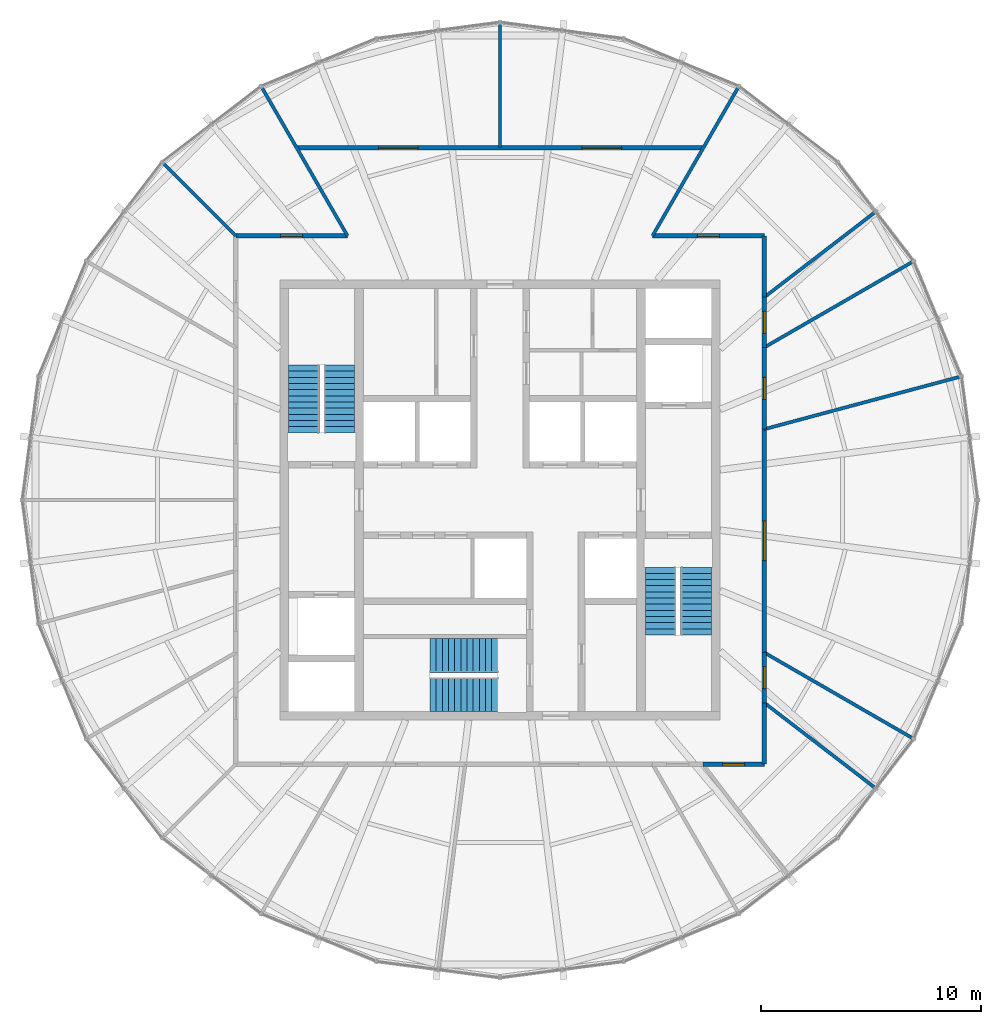
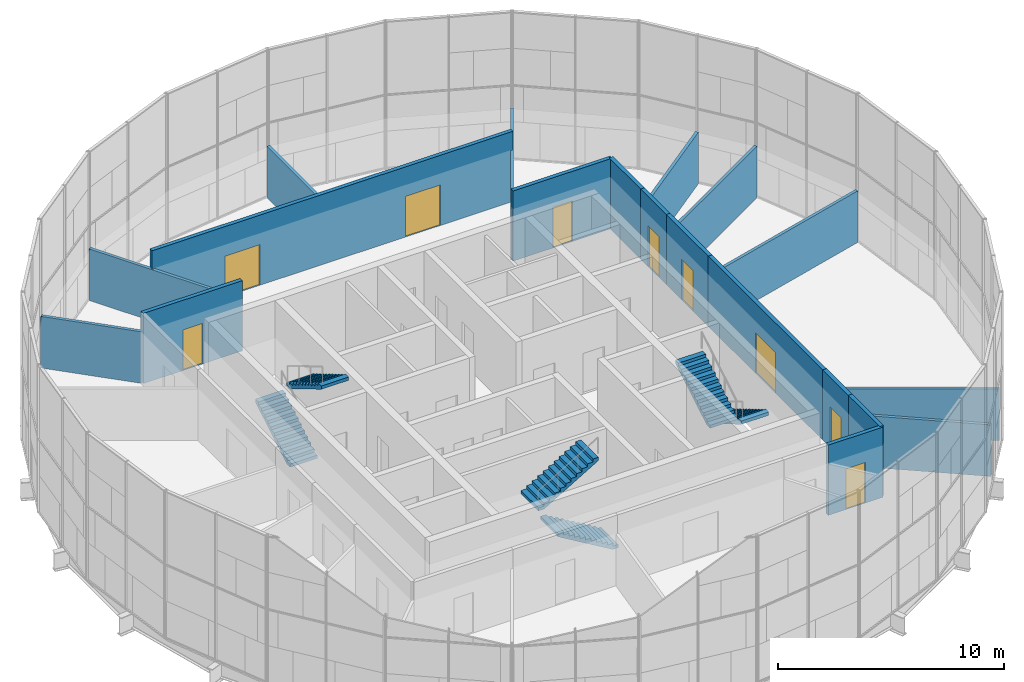
# One storey, part 17 of 18: 19 walls, 9 doors, 6 stair flights, 9 openings, 3 elements without a shape of their own.
"""IFC4 building model written with IfcOpenShell, lengths in metres."""

from ifc_helpers import new_model, si_unit, direction, frame, frame_2d, origin, place, context, subcontext, project, spatial, polyline, rectangle, outline, extrude, material, layer, layer_set, type_object, element, fill, aggregate, save


model = new_model("IFC4")

# Units and contexts
model_context = context("Model", 3, precision=1e-05, world=origin(), true_north=direction((0.0, 1.0)))
body_context = subcontext(model_context, "Body", "Model", "MODEL_VIEW")
ifc_project = project(units=[si_unit("LENGTHUNIT", "METRE"), si_unit("AREAUNIT", "SQUARE_METRE"), si_unit("VOLUMEUNIT", "CUBIC_METRE"), si_unit("PLANEANGLEUNIT", "RADIAN"), si_unit("MASSUNIT", "GRAM", prefix="KILO")], contexts=[model_context])

# Site, building, storey
site_placement = place(None, origin())
site = spatial("IfcSite", under=ifc_project, at=site_placement, CompositionType="ELEMENT")
building_placement = place(site_placement, origin())
building = spatial("IfcBuilding", under=site, at=building_placement, Name="Golbaran Civic Tower", CompositionType="ELEMENT")
storey_placement = place(building_placement, frame((0.0, 0.0, 272.0)))
storey = spatial("IfcBuildingStorey", under=building, at=storey_placement, Name="L66", CompositionType="ELEMENT", Elevation=272.0)

# Wall, opening, door
ifc_material_1 = material(Name="Gypsum board on steel studs, fire-rated", Category="steel")
ifc_layer_1 = layer(ifc_material_1, 0.199951171875, Name="Gypsum board on steel studs, fire-rated")
ifc_layer_set_1 = layer_set([ifc_layer_1], Name="Gypsum board on steel studs, fire-rated")
wall_type_1 = type_object("IfcWallType", Name="CORRIDOR WALL 200", PredefinedType="PARTITIONING", material=ifc_layer_set_1)
wall_1_placement = place(storey_placement, frame((12.0, -6.92822265625, 0.0), z_axis=(0.0, 0.0, 1.0), x_axis=(0.0, 1.0, 0.0)))
wall_1 = element("IfcWall", 1, at=wall_1_placement, inside=storey, type_object=wall_type_1, Name="Corridor wall L66", PredefinedType="PARTITIONING", context=body_context, shape_type="SweptSolid", body=[
    extrude(rectangle(XDim=10.1435546875, YDim=0.199951171875, at=frame_2d((5.07177734375, 0.0))), origin(), (0.0, 0.0, 1.0), 3.800048828125),
])
opening_1_placement = place(wall_1_placement, frame((4.171875, 0.0, 0.0)))
opening_1 = element("IfcOpeningElement", 2, at=opening_1_placement, cuts=wall_1, Name="Opening L66.04", PredefinedType="OPENING", context=body_context, shape_type="SweptSolid", body=[
    extrude(rectangle(XDim=1.800048828125, YDim=2.199951171875, at=frame_2d((0.89990234375, 1.10009765625))), frame((0.0, 0.10986328125, 0.0), z_axis=(0.0, -1.0, 0.0), x_axis=(1.0, 0.0, 0.0)), (0.0, 0.0, 1.0), 0.219970703125),
])
ifc_material_2 = material(Name="Timber door set in steel frame", Category="steel")
door_type_1 = type_object("IfcDoorType", Name="OFFICE DOUBLE DOOR 1800x2200", OperationType="DOUBLE_DOOR_SINGLE_SWING", PredefinedType="DOOR", material=ifc_material_2)
door_1_placement = place(opening_1_placement, origin())
door_1 = element("IfcDoor", 3, at=door_1_placement, inside=storey, type_object=door_type_1, Name="Cabinet Room door L66", OperationType="DOUBLE_DOOR_SINGLE_SWING", OverallHeight=2.199951171875, OverallWidth=1.800048828125, PredefinedType="DOOR", context=body_context, shape_type="SweptSolid", body=[
    extrude(rectangle(XDim=1.800048828125, YDim=2.199951171875, at=frame_2d((0.89990234375, 1.10009765625))), frame((0.0, 0.02490234375, 0.0), z_axis=(0.0, -1.0, 0.0), x_axis=(1.0, 0.0, 0.0)), (0.0, 0.0, 1.0), 0.050048828125),
])
fill(opening_1, door_1)

wall_2_placement = place(storey_placement, frame((12.0, 3.21533203125, 0.0), z_axis=(0.0, 0.0, 1.0), x_axis=(0.0, 1.0, 0.0)))
wall_2 = element("IfcWall", 4, at=wall_2_placement, inside=storey, type_object=wall_type_1, Name="Corridor wall L66", PredefinedType="PARTITIONING", context=body_context, shape_type="SweptSolid", body=[
    extrude(rectangle(XDim=3.712890625, YDim=0.199951171875, at=frame_2d((1.8564453125, 0.0))), origin(), (0.0, 0.0, 1.0), 3.800048828125),
])
opening_2_placement = place(wall_2_placement, frame((1.3564453125, 0.0, 0.0)))
opening_2 = element("IfcOpeningElement", 5, at=opening_2_placement, cuts=wall_2, Name="Opening L66.05", PredefinedType="OPENING", context=body_context, shape_type="SweptSolid", body=[
    extrude(rectangle(XDim=1.0, YDim=2.199951171875, at=frame_2d((0.5, 1.10009765625))), frame((0.0, 0.10986328125, 0.0), z_axis=(0.0, -1.0, 0.0), x_axis=(1.0, 0.0, 0.0)), (0.0, 0.0, 1.0), 0.219970703125),
])
door_type_2 = type_object("IfcDoorType", Name="OFFICE DOOR 1000x2200", OperationType="SINGLE_SWING_LEFT", PredefinedType="DOOR", material=ifc_material_2)
door_2_placement = place(opening_2_placement, origin())
door_2 = element("IfcDoor", 6, at=door_2_placement, inside=storey, type_object=door_type_2, Name="Assistants' Office door L66", OperationType="SINGLE_SWING_LEFT", OverallHeight=2.199951171875, OverallWidth=1.0, PredefinedType="DOOR", context=body_context, shape_type="SweptSolid", body=[
    extrude(rectangle(XDim=1.0, YDim=2.199951171875, at=frame_2d((0.5, 1.10009765625))), frame((0.0, 0.02490234375, 0.0), z_axis=(0.0, -1.0, 0.0), x_axis=(1.0, 0.0, 0.0)), (0.0, 0.0, 1.0), 0.050048828125),
])
fill(opening_2, door_2)

wall_3_placement = place(storey_placement, frame((12.0, 6.92822265625, 0.0), z_axis=(0.0, 0.0, 1.0), x_axis=(0.0, 1.0, 0.0)))
wall_3 = element("IfcWall", 7, at=wall_3_placement, inside=storey, type_object=wall_type_1, Name="Corridor wall L66", PredefinedType="PARTITIONING", context=body_context, shape_type="SweptSolid", body=[
    extrude(rectangle(XDim=2.27978515625, YDim=0.199951171875, at=frame_2d((1.139892578125, 0.0))), origin(), (0.0, 0.0, 1.0), 3.800048828125),
])
opening_3_placement = place(wall_3_placement, frame((0.639892578125, 0.0, 0.0)))
opening_3 = element("IfcOpeningElement", 8, at=opening_3_placement, cuts=wall_3, Name="Opening L66.06", PredefinedType="OPENING", context=body_context, shape_type="SweptSolid", body=[
    extrude(rectangle(XDim=1.0, YDim=2.199951171875, at=frame_2d((0.5, 1.10009765625))), frame((0.0, 0.10986328125, 0.0), z_axis=(0.0, -1.0, 0.0), x_axis=(1.0, 0.0, 0.0)), (0.0, 0.0, 1.0), 0.219970703125),
])
door_3_placement = place(opening_3_placement, origin())
door_3 = element("IfcDoor", 9, at=door_3_placement, inside=storey, type_object=door_type_2, Name="Prayer Room door L66", OperationType="SINGLE_SWING_LEFT", OverallHeight=2.199951171875, OverallWidth=1.0, PredefinedType="DOOR", context=body_context, shape_type="SweptSolid", body=[
    extrude(rectangle(XDim=1.0, YDim=2.199951171875, at=frame_2d((0.5, 1.10009765625))), frame((0.0, 0.02490234375, 0.0), z_axis=(0.0, -1.0, 0.0), x_axis=(1.0, 0.0, 0.0)), (0.0, 0.0, 1.0), 0.050048828125),
])
fill(opening_3, door_3)

# Wall
wall_4_placement = place(storey_placement, frame((12.0, 9.2080078125, 0.0), z_axis=(0.0, 0.0, 1.0), x_axis=(0.0, 1.0, 0.0)))
element("IfcWall", 10, at=wall_4_placement, inside=storey, type_object=wall_type_1, Name="Corridor wall L66", PredefinedType="PARTITIONING", context=body_context, shape_type="SweptSolid", body=[
    extrude(rectangle(XDim=2.7919921875, YDim=0.199951171875, at=frame_2d((1.39599609375, 0.0))), origin(), (0.0, 0.0, 1.0), 3.800048828125),
])

# Wall, opening, door
wall_5_placement = place(storey_placement, frame((12.0, 12.0, 0.0), z_axis=(0.0, 0.0, 1.0), x_axis=(-1.0, 0.0, 0.0)))
wall_5 = element("IfcWall", 11, at=wall_5_placement, inside=storey, type_object=wall_type_1, Name="Corridor wall L66", PredefinedType="PARTITIONING", context=body_context, shape_type="SweptSolid", body=[
    extrude(rectangle(XDim=5.07177734375, YDim=0.199951171875, at=frame_2d((2.535888671875, 0.0))), origin(), (0.0, 0.0, 1.0), 3.800048828125),
])
opening_4_placement = place(wall_5_placement, frame((2.035888671875, 0.0, 0.0)))
opening_4 = element("IfcOpeningElement", 12, at=opening_4_placement, cuts=wall_5, Name="Opening L66.07", PredefinedType="OPENING", context=body_context, shape_type="SweptSolid", body=[
    extrude(rectangle(XDim=1.0, YDim=2.199951171875, at=frame_2d((0.5, 1.10009765625))), frame((0.0, 0.10986328125, 0.0), z_axis=(0.0, -1.0, 0.0), x_axis=(1.0, 0.0, 0.0)), (0.0, 0.0, 1.0), 0.219970703125),
])
door_4_placement = place(opening_4_placement, origin())
door_4 = element("IfcDoor", 13, at=door_4_placement, inside=storey, type_object=door_type_2, Name="Pantry door L66", OperationType="SINGLE_SWING_RIGHT", OverallHeight=2.199951171875, OverallWidth=1.0, PredefinedType="DOOR", context=body_context, shape_type="SweptSolid", body=[
    extrude(rectangle(XDim=1.0, YDim=2.199951171875, at=frame_2d((0.5, 1.10009765625))), frame((0.0, 0.02490234375, 0.0), z_axis=(0.0, -1.0, 0.0), x_axis=(1.0, 0.0, 0.0)), (0.0, 0.0, 1.0), 0.050048828125),
])
fill(opening_4, door_4)

wall_6_placement = place(storey_placement, frame((-6.92822265625, 12.0, 0.0), z_axis=(0.0, 0.0, 1.0), x_axis=(-1.0, 0.0, 0.0)))
wall_6 = element("IfcWall", 14, at=wall_6_placement, inside=storey, type_object=wall_type_1, Name="Corridor wall L66", PredefinedType="PARTITIONING", context=body_context, shape_type="SweptSolid", body=[
    extrude(rectangle(XDim=5.07177734375, YDim=0.199951171875, at=frame_2d((2.535888671875, 0.0))), origin(), (0.0, 0.0, 1.0), 3.800048828125),
])
opening_5_placement = place(wall_6_placement, frame((2.035888671875, 0.0, 0.0)))
opening_5 = element("IfcOpeningElement", 15, at=opening_5_placement, cuts=wall_6, Name="Opening L66.08", PredefinedType="OPENING", context=body_context, shape_type="SweptSolid", body=[
    extrude(rectangle(XDim=1.0, YDim=2.199951171875, at=frame_2d((0.5, 1.10009765625))), frame((0.0, 0.10986328125, 0.0), z_axis=(0.0, -1.0, 0.0), x_axis=(1.0, 0.0, 0.0)), (0.0, 0.0, 1.0), 0.219970703125),
])
door_5_placement = place(opening_5_placement, origin())
door_5 = element("IfcDoor", 16, at=door_5_placement, inside=storey, type_object=door_type_2, Name="Quiet Room door L66", OperationType="SINGLE_SWING_RIGHT", OverallHeight=2.199951171875, OverallWidth=1.0, PredefinedType="DOOR", context=body_context, shape_type="SweptSolid", body=[
    extrude(rectangle(XDim=1.0, YDim=2.199951171875, at=frame_2d((0.5, 1.10009765625))), frame((0.0, 0.02490234375, 0.0), z_axis=(0.0, -1.0, 0.0), x_axis=(1.0, 0.0, 0.0)), (0.0, 0.0, 1.0), 0.050048828125),
])
fill(opening_5, door_5)

wall_7_placement = place(storey_placement, frame((9.2080078125, -12.0, 0.0), z_axis=(0.0, 0.0, 1.0), x_axis=(1.0, 0.0, 0.0)))
wall_7 = element("IfcWall", 17, at=wall_7_placement, inside=storey, type_object=wall_type_1, Name="Corridor wall L66", PredefinedType="PARTITIONING", context=body_context, shape_type="SweptSolid", body=[
    extrude(rectangle(XDim=2.7919921875, YDim=0.199951171875, at=frame_2d((1.39599609375, 0.0))), origin(), (0.0, 0.0, 1.0), 3.800048828125),
])
opening_6_placement = place(wall_7_placement, frame((0.89599609375, 0.0, 0.0)))
opening_6 = element("IfcOpeningElement", 18, at=opening_6_placement, cuts=wall_7, Name="Opening L66.18", PredefinedType="OPENING", context=body_context, shape_type="SweptSolid", body=[
    extrude(rectangle(XDim=1.0, YDim=2.199951171875, at=frame_2d((0.5, 1.10009765625))), frame((0.0, 0.10986328125, 0.0), z_axis=(0.0, -1.0, 0.0), x_axis=(1.0, 0.0, 0.0)), (0.0, 0.0, 1.0), 0.219970703125),
])
door_6_placement = place(opening_6_placement, origin())
door_6 = element("IfcDoor", 19, at=door_6_placement, inside=storey, type_object=door_type_2, Name="Quiet Room door L66", OperationType="SINGLE_SWING_LEFT", OverallHeight=2.199951171875, OverallWidth=1.0, PredefinedType="DOOR", context=body_context, shape_type="SweptSolid", body=[
    extrude(rectangle(XDim=1.0, YDim=2.199951171875, at=frame_2d((0.5, 1.10009765625))), frame((0.0, 0.02490234375, 0.0), z_axis=(0.0, -1.0, 0.0), x_axis=(1.0, 0.0, 0.0)), (0.0, 0.0, 1.0), 0.050048828125),
])
fill(opening_6, door_6)

# Wall
wall_8_placement = place(storey_placement, frame((12.0, -12.0, 0.0), z_axis=(0.0, 0.0, 1.0), x_axis=(0.0, 1.0, 0.0)))
element("IfcWall", 20, at=wall_8_placement, inside=storey, type_object=wall_type_1, Name="Corridor wall L66", PredefinedType="PARTITIONING", context=body_context, shape_type="SweptSolid", body=[
    extrude(rectangle(XDim=2.7919921875, YDim=0.199951171875, at=frame_2d((1.39599609375, 0.0))), origin(), (0.0, 0.0, 1.0), 3.800048828125),
])

# Wall, opening, door
wall_9_placement = place(storey_placement, frame((12.0, -9.2080078125, 0.0), z_axis=(0.0, 0.0, 1.0), x_axis=(0.0, 1.0, 0.0)))
wall_9 = element("IfcWall", 21, at=wall_9_placement, inside=storey, type_object=wall_type_1, Name="Corridor wall L66", PredefinedType="PARTITIONING", context=body_context, shape_type="SweptSolid", body=[
    extrude(rectangle(XDim=2.27978515625, YDim=0.199951171875, at=frame_2d((1.139892578125, 0.0))), origin(), (0.0, 0.0, 1.0), 3.800048828125),
])
opening_7_placement = place(wall_9_placement, frame((0.639892578125, 0.0, 0.0)))
opening_7 = element("IfcOpeningElement", 22, at=opening_7_placement, cuts=wall_9, Name="Opening L66.19", PredefinedType="OPENING", context=body_context, shape_type="SweptSolid", body=[
    extrude(rectangle(XDim=1.0, YDim=2.199951171875, at=frame_2d((0.5, 1.10009765625))), frame((0.0, 0.10986328125, 0.0), z_axis=(0.0, -1.0, 0.0), x_axis=(1.0, 0.0, 0.0)), (0.0, 0.0, 1.0), 0.219970703125),
])
door_7_placement = place(opening_7_placement, origin())
door_7 = element("IfcDoor", 23, at=door_7_placement, inside=storey, type_object=door_type_2, Name="Store door L66", OperationType="SINGLE_SWING_LEFT", OverallHeight=2.199951171875, OverallWidth=1.0, PredefinedType="DOOR", context=body_context, shape_type="SweptSolid", body=[
    extrude(rectangle(XDim=1.0, YDim=2.199951171875, at=frame_2d((0.5, 1.10009765625))), frame((0.0, 0.02490234375, 0.0), z_axis=(0.0, -1.0, 0.0), x_axis=(1.0, 0.0, 0.0)), (0.0, 0.0, 1.0), 0.050048828125),
])
fill(opening_7, door_7)

# Wall, openings, doors
ifc_material_3 = material(Name="Gypsum board on steel studs, fire-rated, glazed panels", Category="steel")
ifc_layer_2 = layer(ifc_material_3, 0.199951171875, Name="Gypsum board on steel studs, fire-rated, glazed panels")
ifc_layer_set_2 = layer_set([ifc_layer_2], Name="Gypsum board on steel studs, fire-rated, glazed panels")
wall_type_2 = type_object("IfcWallType", Name="GALLERY WALL 200", PredefinedType="PARTITIONING", material=ifc_layer_set_2)
wall_10_placement = place(storey_placement, frame((9.237548828125, 16.0, 0.0), z_axis=(0.0, 0.0, 1.0), x_axis=(-1.0, 0.0, 0.0)))
wall_10 = element("IfcWall", 24, at=wall_10_placement, inside=storey, type_object=wall_type_2, Name="Gallery wall L66", PredefinedType="PARTITIONING", context=body_context, shape_type="SweptSolid", body=[
    extrude(rectangle(XDim=18.47509765625, YDim=0.199951171875, at=frame_2d((9.237548828125, 0.0))), origin(), (0.0, 0.0, 1.0), 3.800048828125),
])
opening_8_placement = place(wall_10_placement, frame((3.71875, 0.0, 0.0)))
opening_8 = element("IfcOpeningElement", 25, at=opening_8_placement, cuts=wall_10, Name="Opening L66.01", PredefinedType="OPENING", context=body_context, shape_type="SweptSolid", body=[
    extrude(rectangle(XDim=1.800048828125, YDim=2.199951171875, at=frame_2d((0.89990234375, 1.10009765625))), frame((0.0, 0.10986328125, 0.0), z_axis=(0.0, -1.0, 0.0), x_axis=(1.0, 0.0, 0.0)), (0.0, 0.0, 1.0), 0.219970703125),
])
opening_9_placement = place(wall_10_placement, frame((12.956298828125, 0.0, 0.0)))
opening_9 = element("IfcOpeningElement", 26, at=opening_9_placement, cuts=wall_10, Name="Opening L66.02", PredefinedType="OPENING", context=body_context, shape_type="SweptSolid", body=[
    extrude(rectangle(XDim=1.800048828125, YDim=2.199951171875, at=frame_2d((0.89990234375, 1.10009765625))), frame((0.0, 0.10986328125, 0.0), z_axis=(0.0, -1.0, 0.0), x_axis=(1.0, 0.0, 0.0)), (0.0, 0.0, 1.0), 0.219970703125),
])
door_8_placement = place(opening_8_placement, origin())
door_8 = element("IfcDoor", 27, at=door_8_placement, inside=storey, type_object=door_type_1, Name="Minister's Office door L66", OperationType="DOUBLE_DOOR_SINGLE_SWING", OverallHeight=2.199951171875, OverallWidth=1.800048828125, PredefinedType="DOOR", context=body_context, shape_type="SweptSolid", body=[
    extrude(rectangle(XDim=1.800048828125, YDim=2.199951171875, at=frame_2d((0.89990234375, 1.10009765625))), frame((0.0, 0.02490234375, 0.0), z_axis=(0.0, -1.0, 0.0), x_axis=(1.0, 0.0, 0.0)), (0.0, 0.0, 1.0), 0.050048828125),
])
fill(opening_8, door_8)
door_9_placement = place(opening_9_placement, origin())
door_9 = element("IfcDoor", 28, at=door_9_placement, inside=storey, type_object=door_type_1, Name="Assistants' Office door L66", OperationType="DOUBLE_DOOR_SINGLE_SWING", OverallHeight=2.199951171875, OverallWidth=1.800048828125, PredefinedType="DOOR", context=body_context, shape_type="SweptSolid", body=[
    extrude(rectangle(XDim=1.800048828125, YDim=2.199951171875, at=frame_2d((0.89990234375, 1.10009765625))), frame((0.0, 0.02490234375, 0.0), z_axis=(0.0, -1.0, 0.0), x_axis=(1.0, 0.0, 0.0)), (0.0, 0.0, 1.0), 0.050048828125),
])
fill(opening_9, door_9)

# Walls
ifc_material_4 = material(Name="Gypsum board on steel studs", Category="steel")
ifc_layer_3 = layer(ifc_material_4, 0.14990234375, Name="Gypsum board on steel studs")
ifc_layer_set_3 = layer_set([ifc_layer_3], Name="Gypsum board on steel studs")
wall_type_3 = type_object("IfcWallType", Name="OFFICE PARTITION 150", PredefinedType="PARTITIONING", material=ifc_layer_set_3)
wall_11_placement = place(storey_placement, frame((12.0, -6.92822265625, 0.0), z_axis=(0.0, 0.0, 1.0), x_axis=(0.866025099701, -0.500000526688, 0.0)))
element("IfcWall", 29, at=wall_11_placement, inside=storey, type_object=wall_type_3, Name="Partition 330 L66", PredefinedType="PARTITIONING", context=body_context, shape_type="SweptSolid", body=[
    extrude(rectangle(XDim=7.751953125, YDim=0.14990234375, at=frame_2d((3.8759765625, 0.0))), origin(), (0.0, 0.0, 1.0), 2.7900390625),
])
wall_12_placement = place(storey_placement, frame((12.0, 3.21533203125, 0.0), z_axis=(0.0, 0.0, 1.0), x_axis=(0.965925864192, 0.258818903647, 0.0)))
element("IfcWall", 30, at=wall_12_placement, inside=storey, type_object=wall_type_3, Name="Partition 15 L66", PredefinedType="PARTITIONING", context=body_context, shape_type="SweptSolid", body=[
    extrude(rectangle(XDim=9.184814453125, YDim=0.14990234375, at=frame_2d((4.59228515625, 0.0))), origin(), (0.0, 0.0, 1.0), 2.7900390625),
])
wall_13_placement = place(storey_placement, frame((12.0, 6.92822265625, 0.0), z_axis=(0.0, 0.0, 1.0), x_axis=(0.866025099701, 0.500000526688, 0.0)))
element("IfcWall", 31, at=wall_13_placement, inside=storey, type_object=wall_type_3, Name="Partition 30 L66", PredefinedType="PARTITIONING", context=body_context, shape_type="SweptSolid", body=[
    extrude(rectangle(XDim=7.751953125, YDim=0.14990234375, at=frame_2d((3.8759765625, 0.0))), origin(), (0.0, 0.0, 1.0), 2.7900390625),
])
wall_14_placement = place(storey_placement, frame((12.0, 9.2080078125, 0.0), z_axis=(0.0, 0.0, 1.0), x_axis=(0.793359833503, 0.608752966797, 0.0)))
element("IfcWall", 32, at=wall_14_placement, inside=storey, type_object=wall_type_3, Name="Partition 37.5 L66", PredefinedType="PARTITIONING", context=body_context, shape_type="SweptSolid", body=[
    extrude(rectangle(XDim=6.297607421875, YDim=0.14990234375, at=frame_2d((3.14892578125, 0.0))), origin(), (0.0, 0.0, 1.0), 2.7900390625),
])
for number, where, z_axis, x_axis, name in (
    (33, (6.92822265625, 12.0, 0.0), (0.0, 0.0, 1.0), (0.500000526688, 0.866025099701, 0.0), "Partition 60 L66"),
    (34, (-6.92822265625, 12.0, 0.0), (0.0, 0.0, 1.0), (-0.500000526688, 0.866025099701, 0.0), "Partition 120 L66"),
):
    element("IfcWall", number, at=place(storey_placement, frame(where, z_axis=z_axis, x_axis=x_axis)), inside=storey, type_object=wall_type_3, Name=name, PredefinedType="PARTITIONING", context=body_context, shape_type="SweptSolid", body=[
        extrude(rectangle(XDim=7.751953125, YDim=0.14990234375, at=frame_2d((3.8759765625, 0.0))), origin(), (0.0, 0.0, 1.0), 2.7900390625),
    ])
wall_15_placement = place(storey_placement, frame((-12.0, 12.0, 0.0), z_axis=(0.0, 0.0, 1.0), x_axis=(-0.707106781187, 0.707106781187, 0.0)))
element("IfcWall", 35, at=wall_15_placement, inside=storey, type_object=wall_type_3, Name="Partition 135 L66", PredefinedType="PARTITIONING", context=body_context, shape_type="SweptSolid", body=[
    extrude(rectangle(XDim=4.6376953125, YDim=0.14990234375, at=frame_2d((2.31884765625, 0.0))), origin(), (0.0, 0.0, 1.0), 2.7900390625),
])
wall_16_placement = place(storey_placement, frame((12.0, -9.2080078125, 0.0), z_axis=(0.0, 0.0, 1.0), x_axis=(0.793359833503, -0.608752966797, 0.0)))
element("IfcWall", 36, at=wall_16_placement, inside=storey, type_object=wall_type_3, Name="Partition 322.5 L66", PredefinedType="PARTITIONING", context=body_context, shape_type="SweptSolid", body=[
    extrude(rectangle(XDim=6.297607421875, YDim=0.14990234375, at=frame_2d((3.14892578125, 0.0))), origin(), (0.0, 0.0, 1.0), 2.7900390625),
])
wall_17_placement = place(storey_placement, frame((0.0, 16.0, 0.0), z_axis=(0.0, 0.0, 1.0), x_axis=(0.0, 1.0, 0.0)))
element("IfcWall", 37, at=wall_17_placement, inside=storey, type_object=wall_type_3, Name="Partition 90 L66", PredefinedType="PARTITIONING", context=body_context, shape_type="SweptSolid", body=[
    extrude(rectangle(XDim=5.608154296875, YDim=0.14990234375, at=frame_2d((2.80419921875, 0.0))), origin(), (0.0, 0.0, 1.0), 2.7900390625),
])

# Stair, stair flights
ifc_material_5 = material(Name="Concrete C35/45", Category="concrete")
stair_type_1 = type_object("IfcStairType", Name="EXIT STAIR 3000 x 7850, 4000 RISE", PredefinedType="HALF_TURN_STAIR", material=ifc_material_5)
stair_1_placement = place(storey_placement, origin())
stair_1 = element("IfcStair", 38, at=stair_1_placement, inside=storey, type_object=stair_type_1, Name="Stair S1 L66", PredefinedType="HALF_TURN_STAIR")
stair_flight_type_1 = type_object("IfcStairFlightType", Name="STAIR FLIGHT 1400 WIDE", PredefinedType="STRAIGHT", material=ifc_material_5)
stair_flight_1_placement = place(storey_placement, frame((-8.89990234375, 3.050048828125, 0.0), z_axis=(0.0, 0.0, 1.0), x_axis=(0.0, 1.0, 0.0)))
stair_flight_1 = element("IfcStairFlight", 39, at=stair_flight_1_placement, type_object=stair_flight_type_1, Name="ST30078-40 flight 1", NumberOfRisers=12, NumberOfTreads=11, PredefinedType="STRAIGHT", RiserHeight=0.166666667, TreadLength=0.28, context=body_context, shape_type="SweptSolid", body=[
    extrude(outline(polyline([(0.0, 0.0), (0.0, 0.166748046875), (0.280029296875, 0.166748046875), (0.280029296875, 0.333251953125), (0.56005859375, 0.333251953125), (0.56005859375, 0.5), (0.840087890625, 0.5), (0.840087890625, 0.666748046875), (1.1201171875, 0.666748046875), (1.1201171875, 0.833251953125), (1.39990234375, 0.833251953125), (1.39990234375, 1.0), (1.679931640625, 1.0), (1.679931640625, 1.166748046875), (1.9599609375, 1.166748046875), (1.9599609375, 1.333251953125), (2.239990234375, 1.333251953125), (2.239990234375, 1.5), (2.52001953125, 1.5), (2.52001953125, 1.666748046875), (2.800048828125, 1.666748046875), (2.800048828125, 1.833251953125), (3.080078125, 1.833251953125), (3.080078125, 2.0), (3.080078125, 1.658935546875), (0.29296875, 0.0), (0.0, 0.0)])), frame((0.0, 0.699951171875, 0.0), z_axis=(0.0, -1.0, 0.0), x_axis=(1.0, 0.0, 0.0)), (0.0, 0.0, 1.0), 1.39990234375),
])
stair_flight_2_placement = place(storey_placement, frame((-7.300048828125, 6.1298828125, 2.0), z_axis=(0.0, 0.0, 1.0), x_axis=(0.0, -1.0, 0.0)))
stair_flight_2 = element("IfcStairFlight", 40, at=stair_flight_2_placement, type_object=stair_flight_type_1, Name="ST30078-40 flight 2", NumberOfRisers=12, NumberOfTreads=11, PredefinedType="STRAIGHT", RiserHeight=0.166666667, TreadLength=0.28, context=body_context, shape_type="SweptSolid", body=[
    extrude(outline(polyline([(0.0, 0.0), (0.0, 0.166748046875), (0.280029296875, 0.166748046875), (0.280029296875, 0.333251953125), (0.56005859375, 0.333251953125), (0.56005859375, 0.5), (0.840087890625, 0.5), (0.840087890625, 0.666748046875), (1.1201171875, 0.666748046875), (1.1201171875, 0.833251953125), (1.39990234375, 0.833251953125), (1.39990234375, 1.0), (1.679931640625, 1.0), (1.679931640625, 1.166748046875), (1.9599609375, 1.166748046875), (1.9599609375, 1.333251953125), (2.239990234375, 1.333251953125), (2.239990234375, 1.5), (2.52001953125, 1.5), (2.52001953125, 1.666748046875), (2.800048828125, 1.666748046875), (2.800048828125, 1.833251953125), (3.080078125, 1.833251953125), (3.080078125, 2.0), (3.080078125, 1.658935546875), (0.29296875, 0.0), (0.0, 0.0)])), frame((0.0, 0.699951171875, 0.0), z_axis=(0.0, -1.0, 0.0), x_axis=(1.0, 0.0, 0.0)), (0.0, 0.0, 1.0), 1.39990234375),
])
aggregate(stair_1, [stair_flight_1, stair_flight_2])

stair_2_placement = place(storey_placement, origin())
stair_2 = element("IfcStair", 41, at=stair_2_placement, inside=storey, type_object=stair_type_1, Name="Stair S2 L66", PredefinedType="HALF_TURN_STAIR")
stair_flight_3_placement = place(storey_placement, frame((8.89990234375, -3.050048828125, 0.0), z_axis=(0.0, 0.0, 1.0), x_axis=(0.0, -1.0, 0.0)))
stair_flight_3 = element("IfcStairFlight", 42, at=stair_flight_3_placement, type_object=stair_flight_type_1, Name="ST30078-40 flight 1", NumberOfRisers=12, NumberOfTreads=11, PredefinedType="STRAIGHT", RiserHeight=0.166666667, TreadLength=0.28, context=body_context, shape_type="SweptSolid", body=[
    extrude(outline(polyline([(0.0, 0.0), (0.0, 0.166748046875), (0.280029296875, 0.166748046875), (0.280029296875, 0.333251953125), (0.56005859375, 0.333251953125), (0.56005859375, 0.5), (0.840087890625, 0.5), (0.840087890625, 0.666748046875), (1.1201171875, 0.666748046875), (1.1201171875, 0.833251953125), (1.39990234375, 0.833251953125), (1.39990234375, 1.0), (1.679931640625, 1.0), (1.679931640625, 1.166748046875), (1.9599609375, 1.166748046875), (1.9599609375, 1.333251953125), (2.239990234375, 1.333251953125), (2.239990234375, 1.5), (2.52001953125, 1.5), (2.52001953125, 1.666748046875), (2.800048828125, 1.666748046875), (2.800048828125, 1.833251953125), (3.080078125, 1.833251953125), (3.080078125, 2.0), (3.080078125, 1.658935546875), (0.29296875, 0.0), (0.0, 0.0)])), frame((0.0, 0.699951171875, 0.0), z_axis=(0.0, -1.0, 0.0), x_axis=(1.0, 0.0, 0.0)), (0.0, 0.0, 1.0), 1.39990234375),
])
stair_flight_4_placement = place(storey_placement, frame((7.300048828125, -6.1298828125, 2.0), z_axis=(0.0, 0.0, 1.0), x_axis=(0.0, 1.0, 0.0)))
stair_flight_4 = element("IfcStairFlight", 43, at=stair_flight_4_placement, type_object=stair_flight_type_1, Name="ST30078-40 flight 2", NumberOfRisers=12, NumberOfTreads=11, PredefinedType="STRAIGHT", RiserHeight=0.166666667, TreadLength=0.28, context=body_context, shape_type="SweptSolid", body=[
    extrude(outline(polyline([(0.0, 0.0), (0.0, 0.166748046875), (0.280029296875, 0.166748046875), (0.280029296875, 0.333251953125), (0.56005859375, 0.333251953125), (0.56005859375, 0.5), (0.840087890625, 0.5), (0.840087890625, 0.666748046875), (1.1201171875, 0.666748046875), (1.1201171875, 0.833251953125), (1.39990234375, 0.833251953125), (1.39990234375, 1.0), (1.679931640625, 1.0), (1.679931640625, 1.166748046875), (1.9599609375, 1.166748046875), (1.9599609375, 1.333251953125), (2.239990234375, 1.333251953125), (2.239990234375, 1.5), (2.52001953125, 1.5), (2.52001953125, 1.666748046875), (2.800048828125, 1.666748046875), (2.800048828125, 1.833251953125), (3.080078125, 1.833251953125), (3.080078125, 2.0), (3.080078125, 1.658935546875), (0.29296875, 0.0), (0.0, 0.0)])), frame((0.0, 0.699951171875, 0.0), z_axis=(0.0, -1.0, 0.0), x_axis=(1.0, 0.0, 0.0)), (0.0, 0.0, 1.0), 1.39990234375),
])
aggregate(stair_2, [stair_flight_3, stair_flight_4])

stair_type_2 = type_object("IfcStairType", Name="EXIT STAIR 3300 x 7400, 4000 RISE", PredefinedType="HALF_TURN_STAIR", material=ifc_material_5)
stair_3_placement = place(storey_placement, origin())
stair_3 = element("IfcStair", 44, at=stair_3_placement, inside=storey, type_object=stair_type_2, Name="Stair S3 L66", PredefinedType="HALF_TURN_STAIR")
stair_flight_type_2 = type_object("IfcStairFlightType", Name="STAIR FLIGHT 1550 WIDE", PredefinedType="STRAIGHT", material=ifc_material_5)
stair_flight_5_placement = place(storey_placement, frame((-0.10009765625, -8.824951171875, 0.0), z_axis=(0.0, 0.0, 1.0), x_axis=(-1.0, 0.0, 0.0)))
stair_flight_5 = element("IfcStairFlight", 45, at=stair_flight_5_placement, type_object=stair_flight_type_2, Name="ST33074-40 flight 1", NumberOfRisers=12, NumberOfTreads=11, PredefinedType="STRAIGHT", RiserHeight=0.166666667, TreadLength=0.28, context=body_context, shape_type="SweptSolid", body=[
    extrude(outline(polyline([(0.0, 0.0), (0.0, 0.166748046875), (0.280029296875, 0.166748046875), (0.280029296875, 0.333251953125), (0.56005859375, 0.333251953125), (0.56005859375, 0.5), (0.840087890625, 0.5), (0.840087890625, 0.666748046875), (1.1201171875, 0.666748046875), (1.1201171875, 0.833251953125), (1.39990234375, 0.833251953125), (1.39990234375, 1.0), (1.679931640625, 1.0), (1.679931640625, 1.166748046875), (1.9599609375, 1.166748046875), (1.9599609375, 1.333251953125), (2.239990234375, 1.333251953125), (2.239990234375, 1.5), (2.52001953125, 1.5), (2.52001953125, 1.666748046875), (2.800048828125, 1.666748046875), (2.800048828125, 1.833251953125), (3.080078125, 1.833251953125), (3.080078125, 2.0), (3.080078125, 1.658935546875), (0.29296875, 0.0), (0.0, 0.0)])), frame((0.0, 0.77490234375, 0.0), z_axis=(0.0, -1.0, 0.0), x_axis=(1.0, 0.0, 0.0)), (0.0, 0.0, 1.0), 1.550048828125),
])
stair_flight_6_placement = place(storey_placement, frame((-3.179931640625, -7.074951171875, 2.0), z_axis=(0.0, 0.0, 1.0), x_axis=(1.0, 0.0, 0.0)))
stair_flight_6 = element("IfcStairFlight", 46, at=stair_flight_6_placement, type_object=stair_flight_type_2, Name="ST33074-40 flight 2", NumberOfRisers=12, NumberOfTreads=11, PredefinedType="STRAIGHT", RiserHeight=0.166666667, TreadLength=0.28, context=body_context, shape_type="SweptSolid", body=[
    extrude(outline(polyline([(0.0, 0.0), (0.0, 0.166748046875), (0.280029296875, 0.166748046875), (0.280029296875, 0.333251953125), (0.56005859375, 0.333251953125), (0.56005859375, 0.5), (0.840087890625, 0.5), (0.840087890625, 0.666748046875), (1.1201171875, 0.666748046875), (1.1201171875, 0.833251953125), (1.39990234375, 0.833251953125), (1.39990234375, 1.0), (1.679931640625, 1.0), (1.679931640625, 1.166748046875), (1.9599609375, 1.166748046875), (1.9599609375, 1.333251953125), (2.239990234375, 1.333251953125), (2.239990234375, 1.5), (2.52001953125, 1.5), (2.52001953125, 1.666748046875), (2.800048828125, 1.666748046875), (2.800048828125, 1.833251953125), (3.080078125, 1.833251953125), (3.080078125, 2.0), (3.080078125, 1.658935546875), (0.29296875, 0.0), (0.0, 0.0)])), frame((0.0, 0.77490234375, 0.0), z_axis=(0.0, -1.0, 0.0), x_axis=(1.0, 0.0, 0.0)), (0.0, 0.0, 1.0), 1.550048828125),
])
aggregate(stair_3, [stair_flight_5, stair_flight_6])

save(model, "model.ifc")
